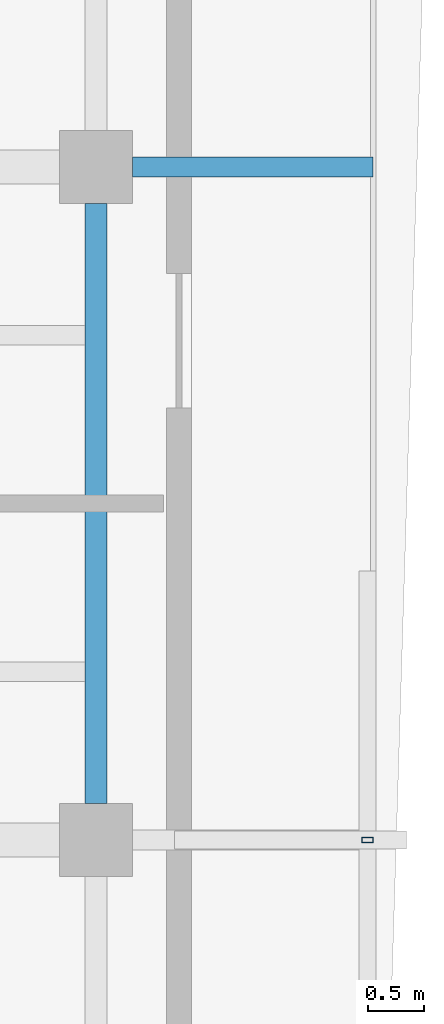
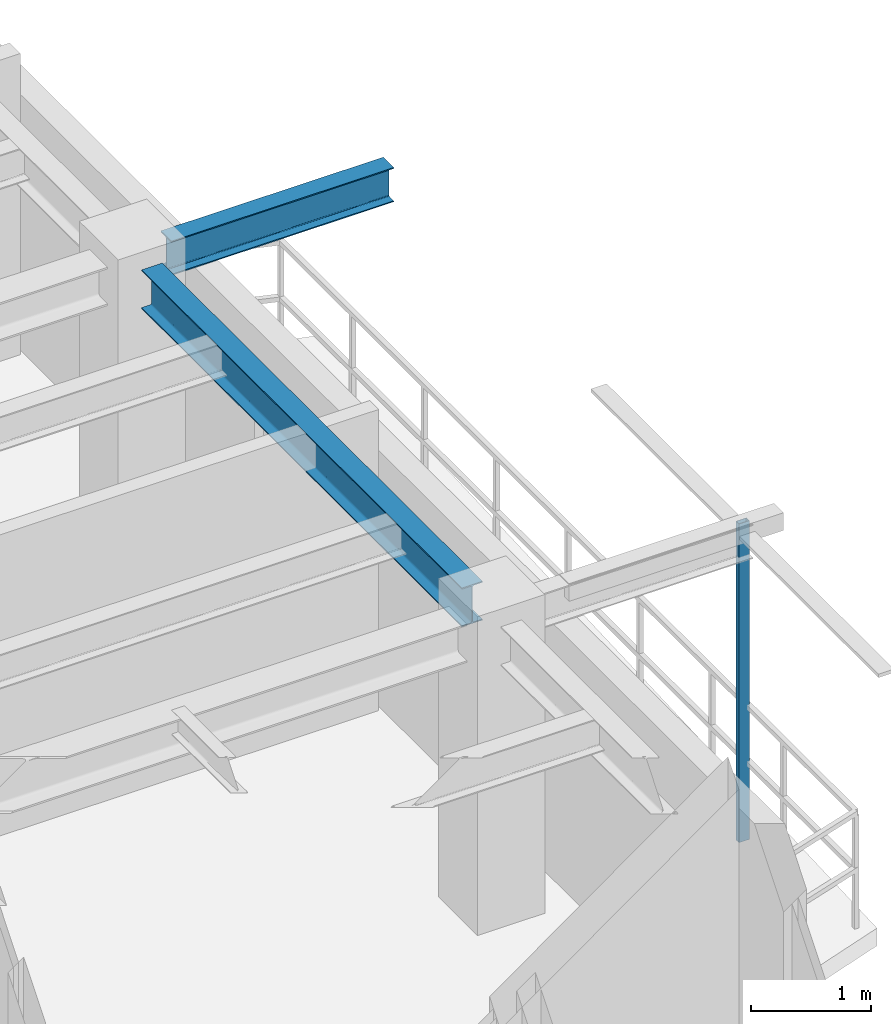
# One storey, part 7 of 15: 2 beams, 1 member.
"""IFC4 building model written with IfcOpenShell, lengths in metres."""

import ifcopenshell
import ifcopenshell.guid

model = None  # the IFC model being written
_history = None  # IfcOwnerHistory: only IFC2X3 demands one
_inside = {}  # id of a spatial element -> (the spatial element, [elements in it])
_under = {}  # id of a project, library or spatial element -> (it, [spatial elements below it])
_declared = {}  # id of a project -> (the project, [libraries it declares])
_typed = {}  # id of a type object -> (the type object, [elements of that type])
_made_of = {}  # id of a material, layer set ... -> (it, [elements and type objects made of it])


def new_model(schema):
    """Start an empty IFC model of exactly this schema.

    Asked for "IFC4X3", IfcOpenShell would pick the latest addendum, in which some entities
    have other attributes; the version numbers below select the first issue.
    IFC2X3 requires an IfcOwnerHistory on every rooted entity: one is made here for all.
    """
    global model, _history
    if schema == "IFC4X3":
        model = ifcopenshell.file(schema_version=(4, 3, 0, 0))
    else:
        model = ifcopenshell.file(schema=schema)
    _inside.clear()
    _under.clear()
    _declared.clear()
    _typed.clear()
    _made_of.clear()
    _history = None
    if model.schema == "IFC2X3":
        org = make("IfcOrganization", Name="unknown")
        user = make(
            "IfcPersonAndOrganization",
            ThePerson=make("IfcPerson", FamilyName="unknown"),
            TheOrganization=org,
        )
        app = make(
            "IfcApplication",
            ApplicationDeveloper=org,
            Version="unknown",
            ApplicationFullName="unknown",
            ApplicationIdentifier="unknown",
        )
        _history = make(
            "IfcOwnerHistory",
            OwningUser=user,
            OwningApplication=app,
            ChangeAction="ADDED",
            CreationDate=0,
        )
    return model


def make(cls, **values):
    """One entity of the class cls with the attributes given. An attribute that is None is left unset."""
    return model.create_entity(
        cls, **{name: value for name, value in values.items() if value is not None}
    )


def rooted(cls, **values):
    """An entity with a GlobalId (a new one), such as an element, a storey or a relation."""
    return make(cls, GlobalId=ifcopenshell.guid.new(), OwnerHistory=_history, **values)


def si_unit(unit_type, name, prefix=None):
    """IfcSIUnit, for example si_unit("LENGTHUNIT", "METRE", prefix="MILLI")."""
    return make("IfcSIUnit", UnitType=unit_type, Prefix=prefix, Name=name)


def assignment(units):
    """IfcUnitAssignment: the units of a project."""
    return None if units is None else make("IfcUnitAssignment", Units=units)


def point(xyz):
    """IfcCartesianPoint."""
    return None if xyz is None else make("IfcCartesianPoint", Coordinates=xyz)


def direction(xyz):
    """IfcDirection."""
    return None if xyz is None else make("IfcDirection", DirectionRatios=xyz)


def frame(location, z_axis=None, x_axis=None):
    """IfcAxis2Placement3D, a coordinate frame: its origin and axes. An axis left out is left unset."""
    return make(
        "IfcAxis2Placement3D",
        Location=point(location),
        Axis=direction(z_axis),
        RefDirection=direction(x_axis),
    )


def frame_2d(location, x_axis=None):
    """IfcAxis2Placement2D, a coordinate frame in the plane: its origin and x axis."""
    return make(
        "IfcAxis2Placement2D", Location=point(location), RefDirection=direction(x_axis)
    )


def origin():
    """The frame at (0, 0, 0) with its axes left unset."""
    return frame((0.0, 0.0, 0.0))


def origin_2d():
    """The frame at (0, 0) in the plane with its x axis left unset."""
    return frame_2d((0.0, 0.0))


def place(relative_to, where):
    """IfcLocalPlacement: puts the frame where relative to a parent placement (None: the world)."""
    return make(
        "IfcLocalPlacement", PlacementRelTo=relative_to, RelativePlacement=where
    )


def context(
    kind, dimensions, precision=None, world=None, true_north=None, identifier=None
):
    """IfcGeometricRepresentationContext, for example the 3D "Model" context."""
    return make(
        "IfcGeometricRepresentationContext",
        ContextIdentifier=identifier,
        ContextType=kind,
        CoordinateSpaceDimension=dimensions,
        Precision=precision,
        WorldCoordinateSystem=world,
        TrueNorth=true_north,
    )


def subcontext(parent, identifier, kind, view, scale=None):
    """IfcGeometricRepresentationSubContext, for example "Body" below "Model"."""
    return make(
        "IfcGeometricRepresentationSubContext",
        ContextIdentifier=identifier,
        ContextType=kind,
        ParentContext=parent,
        TargetScale=scale,
        TargetView=view,
    )


def project(units=None, contexts=None):
    """IfcProject with its units and contexts."""
    return rooted(
        "IfcProject",
        Name="project",
        RepresentationContexts=contexts,
        UnitsInContext=assignment(units),
    )


def spatial(cls, under=None, at=None, **own):
    """A site, building, storey or space (cls), placed at a placement, below another one or the project."""
    s = rooted(cls, ObjectPlacement=at, **own)
    if under is not None:
        _under.setdefault(under.id(), (under, []))[1].append(s)
    return s


def profile(cls, at=None, kind="AREA", **sizes):
    """A parametric profile (cls). Its sizes go by their IFC names, for example OverallWidth=200.0."""
    return make(cls, ProfileType=kind, Position=at, **sizes)


def hollow_rectangle(**sizes):
    """IfcRectangleHollowProfileDef."""
    return profile("IfcRectangleHollowProfileDef", **sizes)


def i_section(**sizes):
    """IfcIShapeProfileDef."""
    return profile("IfcIShapeProfileDef", **sizes)


def extrude(swept, where, along, depth):
    """IfcExtrudedAreaSolid: the profile swept, set in the frame where, extruded along a direction by depth."""
    return make(
        "IfcExtrudedAreaSolid",
        SweptArea=swept,
        Position=where,
        ExtrudedDirection=direction(along),
        Depth=depth,
    )


def shape(context_of_items, identifier, shape_type, items):
    """IfcShapeRepresentation: the items that make up one representation, for example the "Body"."""
    return make(
        "IfcShapeRepresentation",
        ContextOfItems=context_of_items,
        RepresentationIdentifier=identifier,
        RepresentationType=shape_type,
        Items=items,
    )


def source(mapping_origin, context_of_items, identifier, shape_type, items):
    """IfcRepresentationMap: a shape defined once, which mapped items show again and again."""
    return make(
        "IfcRepresentationMap",
        MappingOrigin=mapping_origin,
        MappedRepresentation=shape(context_of_items, identifier, shape_type, items),
    )


def transform(
    local_origin,
    x_axis=None,
    y_axis=None,
    z_axis=None,
    scale=None,
    scale2=None,
    scale3=None,
    uniform=True,
):
    """IfcCartesianTransformationOperator3D, or its non-uniform kind. x_axis, y_axis, z_axis: its Axis1, 2, 3."""
    if uniform:
        return make(
            "IfcCartesianTransformationOperator3D",
            Axis1=direction(x_axis),
            Axis2=direction(y_axis),
            LocalOrigin=point(local_origin),
            Scale=scale,
            Axis3=direction(z_axis),
        )
    return make(
        "IfcCartesianTransformationOperator3DnonUniform",
        Axis1=direction(x_axis),
        Axis2=direction(y_axis),
        LocalOrigin=point(local_origin),
        Scale=scale,
        Axis3=direction(z_axis),
        Scale2=scale2,
        Scale3=scale3,
    )


def mapped(mapping_source, mapping_target):
    """IfcMappedItem: shows the shape of a source again, moved by a transform."""
    return make(
        "IfcMappedItem", MappingSource=mapping_source, MappingTarget=mapping_target
    )


def material(Name=None, Category=None):
    """IfcMaterial."""
    return make("IfcMaterial", Name=Name, Category=Category)


def material_profile(
    of_material, cross_section, Name=None, Category=None, Priority=None
):
    """IfcMaterialProfile: a cross section and its material."""
    return make(
        "IfcMaterialProfile",
        Name=Name,
        Material=of_material,
        Profile=cross_section,
        Priority=Priority,
        Category=Category,
    )


def profile_set(profiles, Name=None, composite=None):
    """IfcMaterialProfileSet."""
    return make(
        "IfcMaterialProfileSet",
        Name=Name,
        MaterialProfiles=profiles,
        CompositeProfile=composite,
    )


def made_of(thing, what):
    """Note that an element or type object is made of a material, layer set ...; save() writes the relation."""
    if what is not None:
        _made_of.setdefault(what.id(), (what, []))[1].append(thing)
    return thing


def type_object(cls, material=None, **own):
    """A type object (cls), such as IfcWallType, which elements share."""
    return made_of(rooted(cls, **own), material)


def element(
    cls,
    number,
    at=None,
    inside=None,
    cuts=None,
    type_object=None,
    material=None,
    context=None,
    identifier="Body",
    shape_type=None,
    held_by="IfcProductDefinitionShape",
    body=None,
    shapes=None,
    **own,
):
    """One element of the class cls, such as IfcWall. Its Tag is "e" and its number.

    at: its placement. inside: the storey or other place that contains it. cuts: it is an
    opening in that element (IfcRelVoidsElement). A single representation is given by context,
    identifier, shape_type and body (its items); several are given by shapes. held_by: the class
    of the entity that holds the representations. save() writes the other relations.
    """
    e = rooted(cls, Tag="e%d" % number, ObjectPlacement=at, **own)
    if body is not None:
        shapes = [shape(context, identifier, shape_type, body)]
    if shapes is not None:
        e.Representation = make(held_by, Representations=shapes)
    if inside is not None:
        _inside.setdefault(inside.id(), (inside, []))[1].append(e)
    if cuts is not None:
        rooted(
            "IfcRelVoidsElement", RelatingBuildingElement=cuts, RelatedOpeningElement=e
        )
    if type_object is not None:
        _typed.setdefault(type_object.id(), (type_object, []))[1].append(e)
    return made_of(e, material)


def aggregate(whole, parts):
    """IfcRelAggregates: a whole, such as a stair, and the parts it consists of."""
    return rooted("IfcRelAggregates", RelatingObject=whole, RelatedObjects=parts)


def save(model, path):
    """Write the relations noted so far, then the file.

    IfcRelAggregates (storeys below a building ...), IfcRelContainedInSpatialStructure (elements
    in a storey), IfcRelDefinesByType, IfcRelAssociatesMaterial and IfcRelDeclares: one each for
    every whole, place, type object, material and project.
    """
    for whole, parts in _under.values():
        aggregate(whole, parts)
    for where, things in _inside.values():
        rooted(
            "IfcRelContainedInSpatialStructure",
            RelatedElements=things,
            RelatingStructure=where,
        )
    for kind, things in _typed.values():
        rooted("IfcRelDefinesByType", RelatedObjects=things, RelatingType=kind)
    for what, things in _made_of.values():
        rooted("IfcRelAssociatesMaterial", RelatedObjects=things, RelatingMaterial=what)
    for by, libraries in _declared.values():
        rooted("IfcRelDeclares", RelatingContext=by, RelatedDefinitions=libraries)
    model.write(path)


model = new_model("IFC4")

# Units and contexts
model_context = context("Model", 3, precision=1e-05, world=origin(), true_north=direction((0.0, 1.0)))
body_context = subcontext(model_context, "Body", "Model", "MODEL_VIEW")
ifc_project = project(units=[si_unit("LENGTHUNIT", "METRE"), si_unit("AREAUNIT", "SQUARE_METRE"), si_unit("VOLUMEUNIT", "CUBIC_METRE"), si_unit("PLANEANGLEUNIT", "RADIAN"), si_unit("MASSUNIT", "GRAM", prefix="KILO"), si_unit("THERMODYNAMICTEMPERATUREUNIT", "KELVIN"), si_unit("POWERUNIT", "WATT")], contexts=[model_context])

# Site, building, storey
site_placement = place(None, origin())
site = spatial("IfcSite", under=ifc_project, at=site_placement, CompositionType="ELEMENT")
building_placement = place(site_placement, origin())
building = spatial("IfcBuilding", under=site, at=building_placement, Name="Qiaomeng Ring Towers", CompositionType="ELEMENT")
storey_placement = place(building_placement, frame((0.0, 0.0, 237.25)))
storey = spatial("IfcBuildingStorey", under=building, at=storey_placement, Name="L69", CompositionType="ELEMENT", Elevation=237.25)

# Beams
ifc_material_1 = material(Name="Steel Q355B", Category="steel")
ifc_material_profile_1 = material_profile(ifc_material_1, i_section(OverallWidth=0.198974609375, OverallDepth=0.39599609375, WebThickness=0.007080078125, FlangeThickness=0.010986328125, FilletRadius=0.01611328125, at=origin_2d()), Name="HN 396x199x7x11")
ifc_profile_set_1 = profile_set([ifc_material_profile_1], Name="Steel Q355B")
beam_type_1 = type_object("IfcBeamType", Name="STR-BM-HN396", PredefinedType="SPANDREL", material=ifc_profile_set_1)
shared_shape_1 = source(origin(), body_context, "Body", "SweptSolid", [
    extrude(i_section(OverallWidth=0.198974609375, OverallDepth=0.39599609375, WebThickness=0.007080078125, FlangeThickness=0.010986328125, FilletRadius=0.01611328125, at=origin_2d()), origin(), (0.0, 0.0, 1.0), 5.35205078125),
])
beam_1_placement = place(storey_placement, frame((33.85009765625, 20.323974609375, 2.8720703125), z_axis=(0.0, 1.0, 0.0), x_axis=(-1.0, 0.0, 0.0)))
element("IfcBeam", 1, at=beam_1_placement, inside=storey, type_object=beam_type_1, Name="L69 beam STR-SP-L69-T1-E2-E3", PredefinedType="SPANDREL", context=body_context, shape_type="MappedRepresentation", body=[
    mapped(shared_shape_1, transform((0.0, 0.0, 0.0), x_axis=(1.0, 0.0, 0.0), y_axis=(0.0, 1.0, 0.0), z_axis=(0.0, 0.0, 1.0), scale=1.0)),
])
ifc_material_profile_2 = material_profile(ifc_material_1, i_section(OverallWidth=0.175048828125, OverallDepth=0.35009765625, WebThickness=0.007080078125, FlangeThickness=0.010986328125, FilletRadius=0.013916015625, at=origin_2d()), Name="HN 350x175x7x11")
ifc_profile_set_2 = profile_set([ifc_material_profile_2], Name="Steel Q355B")
beam_type_2 = type_object("IfcBeamType", Name="STR-BM-HN350", PredefinedType="JOIST", material=ifc_profile_set_2)
shared_shape_2 = source(origin(), body_context, "Body", "SweptSolid", [
    extrude(i_section(OverallWidth=0.175048828125, OverallDepth=0.35009765625, WebThickness=0.007080078125, FlangeThickness=0.010986328125, FilletRadius=0.013916015625, at=origin_2d()), origin(), (0.0, 0.0, 1.0), 2.14599609375),
])
beam_2_placement = place(storey_placement, frame((34.174072265625, 26.0, 2.89501953125), z_axis=(1.0, 0.0, 0.0), x_axis=(0.0, 1.0, 0.0)))
element("IfcBeam", 2, at=beam_2_placement, inside=storey, type_object=beam_type_2, Name="L69 beam STR-BALBM-L69-E3", PredefinedType="JOIST", context=body_context, shape_type="MappedRepresentation", body=[
    mapped(shared_shape_2, transform((0.0, 0.0, 0.0), x_axis=(1.0, 0.0, 0.0), y_axis=(0.0, 1.0, 0.0), z_axis=(0.0, 0.0, 1.0), scale=1.0)),
])

# Member
ifc_material_2 = material(Name="Stainless steel 316", Category="steel")
ifc_material_profile_3 = material_profile(ifc_material_2, hollow_rectangle(XDim=0.050048828125, YDim=0.10009765625, WallThickness=0.00390625, at=origin_2d()), Name="SS TRELLIS 100x50")
ifc_profile_set_3 = profile_set([ifc_material_profile_3], Name="Stainless steel 316")
member_type = type_object("IfcMemberType", Name="ARC-TR-POST2", PredefinedType="STUD", material=ifc_profile_set_3)
shared_shape_3 = source(origin(), body_context, "Body", "SweptSolid", [
    extrude(hollow_rectangle(XDim=0.050048828125, YDim=0.10009765625, WallThickness=0.00390625, at=origin_2d()), origin(), (0.0, 0.0, 1.0), 3.25),
])
member_placement = place(storey_placement, frame((36.27001953125, 20.0, -0.179931640625), z_axis=(0.0, 0.0, 1.0), x_axis=(0.0, 1.0, 0.0)))
element("IfcMember", 3, at=member_placement, inside=storey, type_object=member_type, Name="L69 Outer Ventilated Trellis Post E", PredefinedType="STUD", context=body_context, shape_type="MappedRepresentation", body=[
    mapped(shared_shape_3, transform((0.0, 0.0, 0.0), x_axis=(1.0, 0.0, 0.0), y_axis=(0.0, 1.0, 0.0), z_axis=(0.0, 0.0, 1.0), scale=1.0)),
])

save(model, "model.ifc")
